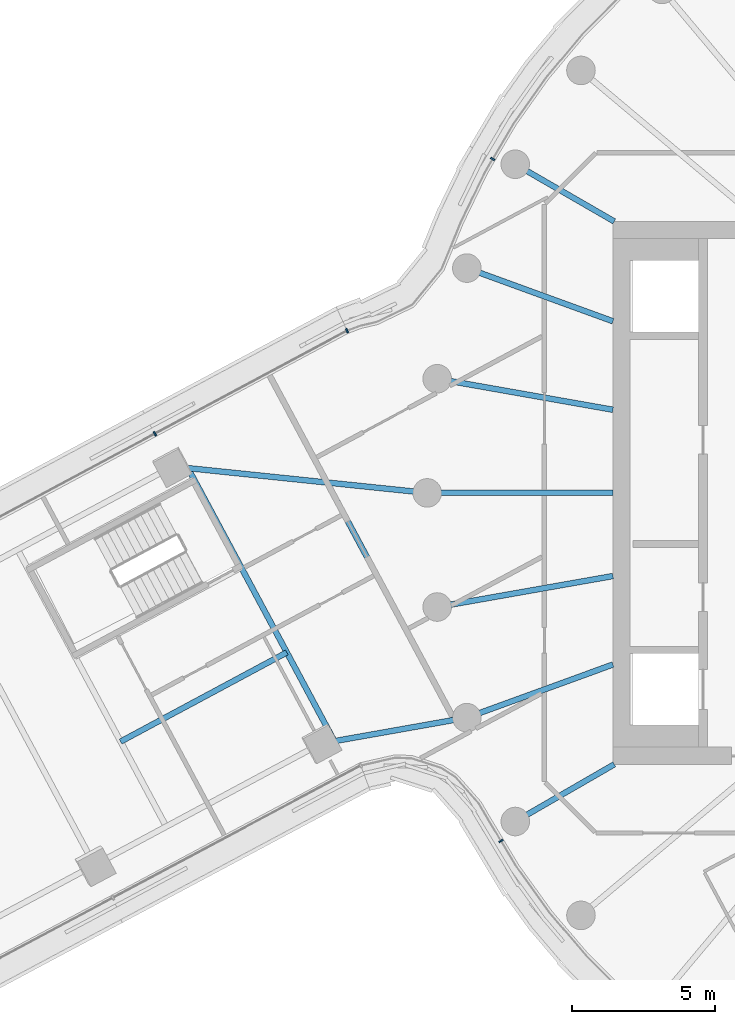
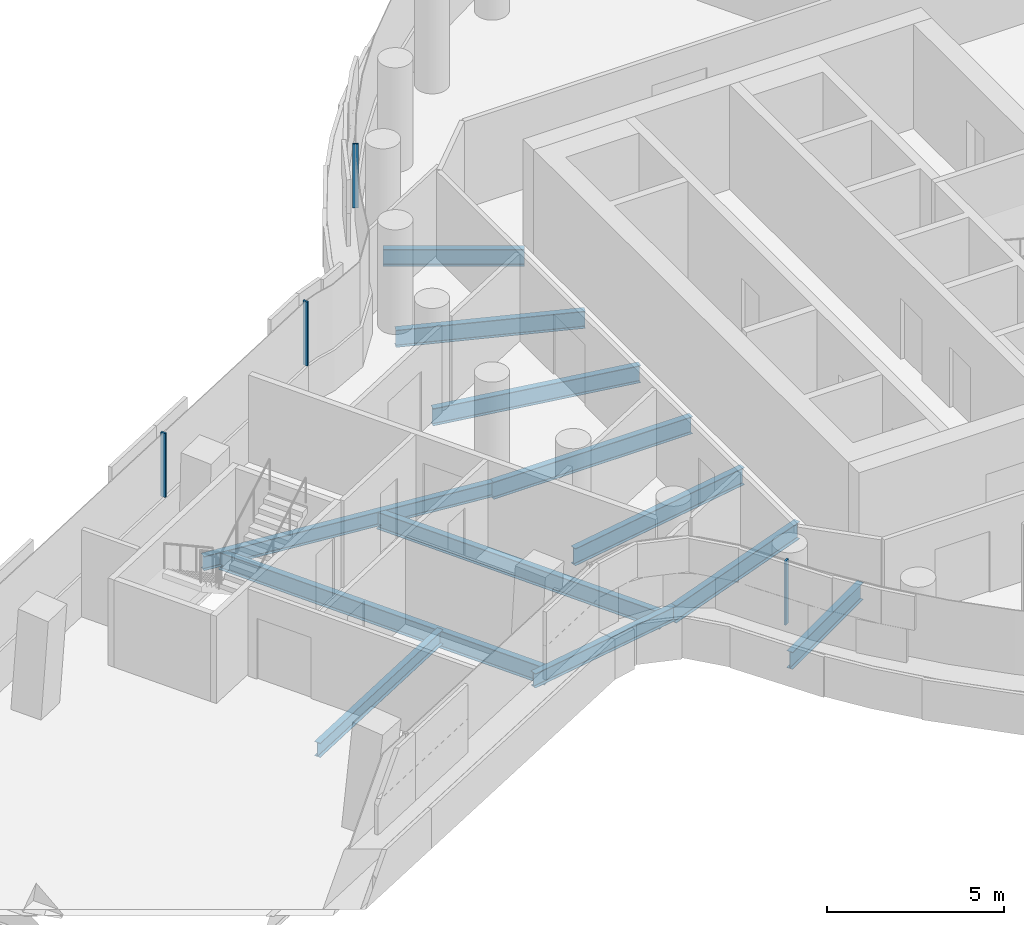
# One storey, part 7 of 33: 12 beams, 4 members, 3 elements without a shape of their own.
"""IFC4 building model written with IfcOpenShell, lengths in metres."""

from ifc_helpers import new_model, si_unit, direction, frame, origin, origin_2d, place, context, subcontext, project, spatial, rectangle, i_section, extrude, material, layer, layer_set, material_profile, profile_set, type_object, element, aggregate, save


model = new_model("IFC4")

# Units and contexts
model_context = context("Model", 3, precision=1e-05, world=origin(), true_north=direction((0.0, 1.0)))
body_context = subcontext(model_context, "Body", "Model", "MODEL_VIEW")
ifc_project = project(units=[si_unit("LENGTHUNIT", "METRE"), si_unit("AREAUNIT", "SQUARE_METRE"), si_unit("VOLUMEUNIT", "CUBIC_METRE"), si_unit("PLANEANGLEUNIT", "RADIAN"), si_unit("MASSUNIT", "GRAM", prefix="KILO")], contexts=[model_context])

# Site, building, storey
site_placement = place(None, origin())
site = spatial("IfcSite", under=ifc_project, at=site_placement, CompositionType="ELEMENT")
building_placement = place(site_placement, origin())
building = spatial("IfcBuilding", under=site, at=building_placement, Name="Tamarind Cross Interchange Tower", CompositionType="ELEMENT")
storey_placement = place(building_placement, frame((0.0, 0.0, 136.75)))
storey = spatial("IfcBuildingStorey", under=building, at=storey_placement, Name="L33", CompositionType="ELEMENT", Elevation=136.75)

# Beams
ifc_material_1 = material(Name="Steel Q355B", Category="steel")
ifc_material_profile_1 = material_profile(ifc_material_1, i_section(OverallWidth=0.198974609375, OverallDepth=0.49609375, WebThickness=0.009033203125, FlangeThickness=0.013916015625, FilletRadius=0.012939453125, at=origin_2d()), Name="HN 496x199x9x14")
ifc_profile_set_1 = profile_set([ifc_material_profile_1], Name="Steel Q355B")
beam_type_1 = type_object("IfcBeamType", Name="Composite beam HN 496x199x9x14 Q355B", PredefinedType="BEAM", material=ifc_profile_set_1)
beam_1_placement = place(storey_placement, frame((-31.9140625, 0.92333984375, -0.387939453125), z_axis=(0.994678131771, -0.103031132076, 0.0), x_axis=(0.103031132076, 0.994678131771, 0.0)))
element("IfcBeam", 1, at=beam_1_placement, inside=storey, type_object=beam_type_1, Name="Beam W-linkem", PredefinedType="BEAM", context=body_context, shape_type="SweptSolid", body=[
    extrude(i_section(OverallWidth=0.198974609375, OverallDepth=0.49609375, WebThickness=0.009033203125, FlangeThickness=0.013916015625, FilletRadius=0.012939453125, at=origin_2d()), origin(), (0.0, 0.0, 1.0), 8.961669921875),
])
beam_2_placement = place(storey_placement, frame((-26.71435546875, -8.77001953125, -0.387939453125), z_axis=(0.984673297958, 0.174408991421, 0.0), x_axis=(-0.174408991421, 0.984673297958, 0.0)))
element("IfcBeam", 2, at=beam_2_placement, inside=storey, type_object=beam_type_1, Name="Beam W-linkep", PredefinedType="BEAM", context=body_context, shape_type="SweptSolid", body=[
    extrude(i_section(OverallWidth=0.198974609375, OverallDepth=0.49609375, WebThickness=0.009033203125, FlangeThickness=0.013916015625, FilletRadius=0.012939453125, at=origin_2d()), origin(), (0.0, 0.0, 1.0), 5.1806640625),
])
beam_3_placement = place(storey_placement, frame((-27.9130859375, -5.583251953125, -0.387939453125), z_axis=(-0.881223032974, -0.472700715207, 0.0), x_axis=(0.472700715207, -0.881223032974, 0.0)))
element("IfcBeam", 3, at=beam_3_placement, inside=storey, type_object=beam_type_1, Name="Beam W-stripp", PredefinedType="BEAM", context=body_context, shape_type="SweptSolid", body=[
    extrude(i_section(OverallWidth=0.198974609375, OverallDepth=0.49609375, WebThickness=0.009033203125, FlangeThickness=0.013916015625, FilletRadius=0.012939453125, at=origin_2d()), origin(), (0.0, 0.0, 1.0), 6.60009765625),
])
ifc_material_profile_2 = material_profile(ifc_material_1, i_section(OverallWidth=0.198974609375, OverallDepth=0.595947265625, WebThickness=0.010009765625, FlangeThickness=0.014892578125, FilletRadius=0.012939453125, at=origin_2d()), Name="HN 596x199x10x15")
ifc_profile_set_2 = profile_set([ifc_material_profile_2], Name="Steel Q355B")
beam_type_2 = type_object("IfcBeamType", Name="Composite beam HN 596x199x10x15 Q355B", PredefinedType="BEAM", material=ifc_profile_set_2)
beam_4_placement = place(storey_placement, frame((-19.918701171875, 11.5, -0.43798828125), z_axis=(0.866026010844, -0.49999894854, 0.0), x_axis=(0.49999894854, 0.866026010844, 0.0)))
element("IfcBeam", 4, at=beam_4_placement, inside=storey, type_object=beam_type_2, Name="Beam HH15", PredefinedType="BEAM", context=body_context, shape_type="SweptSolid", body=[
    extrude(i_section(OverallWidth=0.198974609375, OverallDepth=0.595947265625, WebThickness=0.010009765625, FlangeThickness=0.014892578125, FilletRadius=0.012939453125, at=origin_2d()), origin(), (0.0, 0.0, 1.0), 4.0),
])
beam_5_placement = place(storey_placement, frame((-21.613037109375, 7.866455078125, -0.43798828125), z_axis=(0.939701685589, -0.341995236956, 0.0), x_axis=(0.341995236956, 0.939701685589, 0.0)))
element("IfcBeam", 5, at=beam_5_placement, inside=storey, type_object=beam_type_2, Name="Beam HH16", PredefinedType="BEAM", context=body_context, shape_type="SweptSolid", body=[
    extrude(i_section(OverallWidth=0.198974609375, OverallDepth=0.595947265625, WebThickness=0.010009765625, FlangeThickness=0.014892578125, FilletRadius=0.012939453125, at=origin_2d()), origin(), (0.0, 0.0, 1.0), 5.441162109375),
])
beam_6_placement = place(storey_placement, frame((-22.650634765625, 3.993896484375, -0.43798828125), z_axis=(0.984809127561, -0.173640382036, 0.0), x_axis=(0.173640382036, 0.984809127561, 0.0)))
element("IfcBeam", 6, at=beam_6_placement, inside=storey, type_object=beam_type_2, Name="Beam HH17", PredefinedType="BEAM", context=body_context, shape_type="SweptSolid", body=[
    extrude(i_section(OverallWidth=0.198974609375, OverallDepth=0.595947265625, WebThickness=0.010009765625, FlangeThickness=0.014892578125, FilletRadius=0.012939453125, at=origin_2d()), origin(), (0.0, 0.0, 1.0), 6.24560546875),
])
beam_7_placement = place(storey_placement, frame((-23.0, 0.0, -0.43798828125), z_axis=(1.0, 0.0, 0.0), x_axis=(0.0, 1.0, 0.0)))
element("IfcBeam", 7, at=beam_7_placement, inside=storey, type_object=beam_type_2, Name="Beam HH18", PredefinedType="BEAM", context=body_context, shape_type="SweptSolid", body=[
    extrude(i_section(OverallWidth=0.198974609375, OverallDepth=0.595947265625, WebThickness=0.010009765625, FlangeThickness=0.014892578125, FilletRadius=0.012939453125, at=origin_2d()), origin(), (0.0, 0.0, 1.0), 6.5),
])
beam_8_placement = place(storey_placement, frame((-22.650634765625, -3.993896484375, -0.43798828125), z_axis=(0.984809127561, 0.173640382036, 0.0), x_axis=(-0.173640382036, 0.984809127561, 0.0)))
element("IfcBeam", 8, at=beam_8_placement, inside=storey, type_object=beam_type_2, Name="Beam HH19", PredefinedType="BEAM", context=body_context, shape_type="SweptSolid", body=[
    extrude(i_section(OverallWidth=0.198974609375, OverallDepth=0.595947265625, WebThickness=0.010009765625, FlangeThickness=0.014892578125, FilletRadius=0.012939453125, at=origin_2d()), origin(), (0.0, 0.0, 1.0), 6.24560546875),
])
beam_9_placement = place(storey_placement, frame((-21.613037109375, -7.866455078125, -0.43798828125), z_axis=(0.939701685589, 0.341995236956, 0.0), x_axis=(-0.341995236956, 0.939701685589, 0.0)))
element("IfcBeam", 9, at=beam_9_placement, inside=storey, type_object=beam_type_2, Name="Beam HH20", PredefinedType="BEAM", context=body_context, shape_type="SweptSolid", body=[
    extrude(i_section(OverallWidth=0.198974609375, OverallDepth=0.595947265625, WebThickness=0.010009765625, FlangeThickness=0.014892578125, FilletRadius=0.012939453125, at=origin_2d()), origin(), (0.0, 0.0, 1.0), 5.441162109375),
])
beam_10_placement = place(storey_placement, frame((-19.918701171875, -11.5, -0.43798828125), z_axis=(0.866026010844, 0.49999894854, 0.0), x_axis=(-0.49999894854, 0.866026010844, 0.0)))
element("IfcBeam", 10, at=beam_10_placement, inside=storey, type_object=beam_type_2, Name="Beam HH21", PredefinedType="BEAM", context=body_context, shape_type="SweptSolid", body=[
    extrude(i_section(OverallWidth=0.198974609375, OverallDepth=0.595947265625, WebThickness=0.010009765625, FlangeThickness=0.014892578125, FilletRadius=0.012939453125, at=origin_2d()), origin(), (0.0, 0.0, 1.0), 4.0),
])
ifc_material_profile_3 = material_profile(ifc_material_1, i_section(OverallWidth=0.199951171875, OverallDepth=0.60009765625, WebThickness=0.010986328125, FlangeThickness=0.01708984375, FilletRadius=0.012939453125, at=origin_2d()), Name="HN 600x200x11x17")
ifc_profile_set_3 = profile_set([ifc_material_profile_3], Name="Steel Q355B")
beam_type_3 = type_object("IfcBeamType", Name="Composite beam HN 600x200x11x17 Q355B", PredefinedType="BEAM", material=ifc_profile_set_3)
beam_11_placement = place(storey_placement, frame((-31.373291015625, 0.867431640625, -0.43994140625), z_axis=(0.472689350422, -0.881229129113, 0.0), x_axis=(0.881229129113, 0.472689350422, 0.0)))
element("IfcBeam", 11, at=beam_11_placement, inside=storey, type_object=beam_type_3, Name="Beam W-x298", PredefinedType="BEAM", context=body_context, shape_type="SweptSolid", body=[
    extrude(i_section(OverallWidth=0.199951171875, OverallDepth=0.60009765625, WebThickness=0.010986328125, FlangeThickness=0.01708984375, FilletRadius=0.012939453125, at=origin_2d()), origin(), (0.0, 0.0, 1.0), 10.8427734375),
])
beam_12_placement = place(storey_placement, frame((-26.507080078125, 0.36328125, -0.43994140625), z_axis=(0.472689202941, -0.881229208222, 0.0), x_axis=(0.881229208222, 0.472689202941, 0.0)))
element("IfcBeam", 12, at=beam_12_placement, inside=storey, type_object=beam_type_3, Name="Beam W-x258", PredefinedType="BEAM", context=body_context, shape_type="SweptSolid", body=[
    extrude(i_section(OverallWidth=0.199951171875, OverallDepth=0.60009765625, WebThickness=0.010986328125, FlangeThickness=0.01708984375, FilletRadius=0.012939453125, at=origin_2d()), origin(), (0.0, 0.0, 1.0), 9.427001953125),
])

# Curtain wall, member
ifc_material_2 = material(Name="Aluminium 6063-T6", Category="aluminium")
ifc_layer = layer(ifc_material_2, 0.159912109375)
ifc_layer_set = layer_set([ifc_layer], Name="Aluminium 6063-T6")
curtain_wall_type = type_object("IfcCurtainWallType", Name="Office curtain wall, 9.0 m bays", PredefinedType="NOTDEFINED", material=ifc_layer_set)
curtain_wall_1_placement = place(storey_placement, origin())
curtain_wall_1 = element("IfcCurtainWall", 13, at=curtain_wall_1_placement, inside=storey, type_object=curtain_wall_type, Name="CWS-L33-02", PredefinedType="NOTDEFINED")
ifc_material_profile_4 = material_profile(ifc_material_2, rectangle(XDim=0.06005859375, YDim=0.159912109375, at=origin_2d()), Name="Mullion CW1")
ifc_profile_set_4 = profile_set([ifc_material_profile_4], Name="Aluminium 6063-T6")
member_type = type_object("IfcMemberType", Name="Mullion CW1", PredefinedType="MULLION", material=ifc_profile_set_4)
member_1_placement = place(storey_placement, frame((-20.7119140625, 11.683349609375, 1.39990234375), z_axis=(0.0, 0.0, 1.0), x_axis=(-0.508183308752, -0.861248933065, 0.0)))
member_1 = element("IfcMember", 14, at=member_1_placement, type_object=member_type, Name="CWM-L33-02-02", PredefinedType="MULLION", context=body_context, shape_type="SweptSolid", body=[
    extrude(rectangle(XDim=0.06005859375, YDim=0.159912109375, at=origin_2d()), origin(), (0.0, 0.0, 1.0), 2.210205078125),
])
aggregate(curtain_wall_1, [member_1])

# Curtain wall, members
curtain_wall_2_placement = place(storey_placement, origin())
curtain_wall_2 = element("IfcCurtainWall", 15, at=curtain_wall_2_placement, inside=storey, type_object=curtain_wall_type, Name="CWS-L33-03", PredefinedType="NOTDEFINED")
member_2_placement = place(storey_placement, frame((-25.805908203125, 5.675048828125, 1.39990234375), z_axis=(0.0, 0.0, 1.0), x_axis=(-0.910253450247, -0.414051514082, 0.0)))
member_2 = element("IfcMember", 16, at=member_2_placement, type_object=member_type, Name="CWM-L33-03-00", PredefinedType="MULLION", context=body_context, shape_type="SweptSolid", body=[
    extrude(rectangle(XDim=0.06005859375, YDim=0.159912109375, at=origin_2d()), origin(), (0.0, 0.0, 1.0), 2.210205078125),
])
member_3_placement = place(storey_placement, frame((-32.529541015625, 2.068359375, 1.39990234375), z_axis=(0.0, 0.0, 1.0), x_axis=(-0.881224263054, -0.472698422046, 0.0)))
member_3 = element("IfcMember", 17, at=member_3_placement, type_object=member_type, Name="CWM-L33-03-01", PredefinedType="MULLION", context=body_context, shape_type="SweptSolid", body=[
    extrude(rectangle(XDim=0.06005859375, YDim=0.159912109375, at=origin_2d()), origin(), (0.0, 0.0, 1.0), 2.210205078125),
])
aggregate(curtain_wall_2, [member_2, member_3])

# Curtain wall, member
curtain_wall_3_placement = place(storey_placement, origin())
curtain_wall_3 = element("IfcCurtainWall", 18, at=curtain_wall_3_placement, inside=storey, type_object=curtain_wall_type, Name="CWS-L33-06", PredefinedType="NOTDEFINED")
member_4_placement = place(storey_placement, frame((-20.4189453125, -12.179931640625, 1.39990234375), z_axis=(0.0, 0.0, 1.0), x_axis=(0.515577308909, -0.856843065292, 0.0)))
member_4 = element("IfcMember", 19, at=member_4_placement, type_object=member_type, Name="CWM-L33-06-01", PredefinedType="MULLION", context=body_context, shape_type="SweptSolid", body=[
    extrude(rectangle(XDim=0.06005859375, YDim=0.159912109375, at=origin_2d()), origin(), (0.0, 0.0, 1.0), 2.210205078125),
])
aggregate(curtain_wall_3, [member_4])

save(model, "model.ifc")
